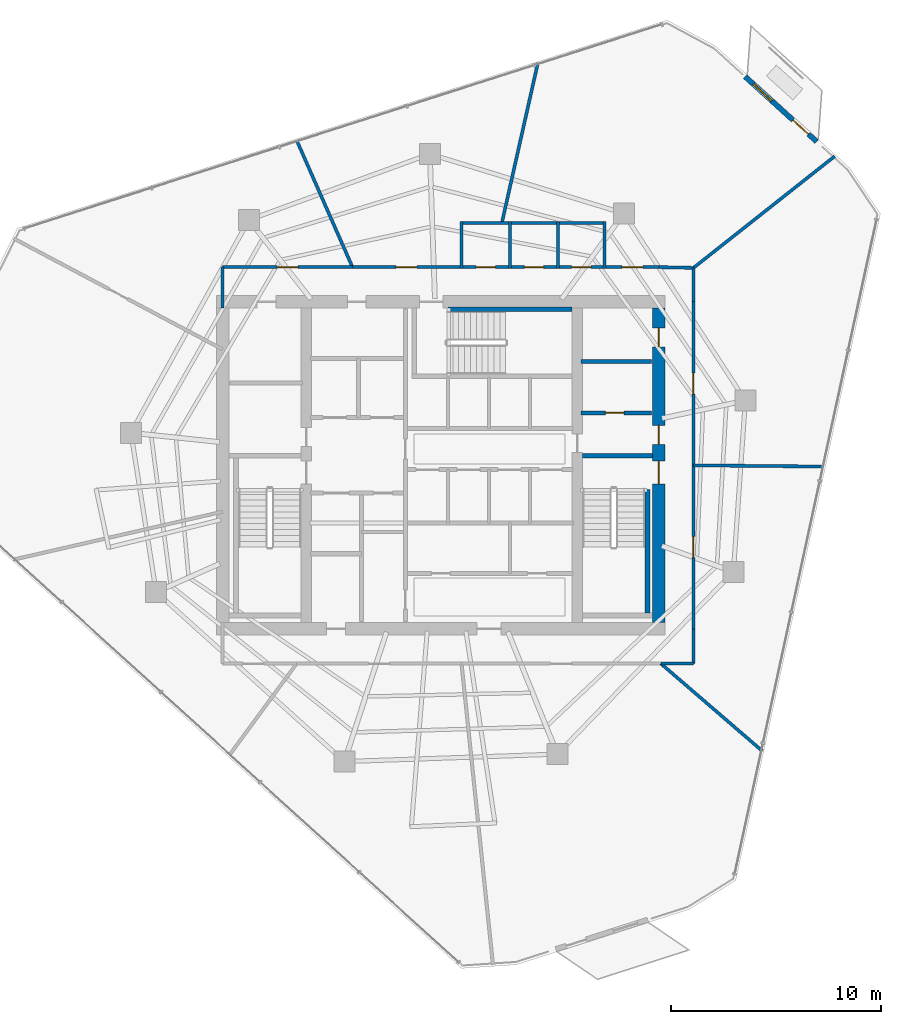
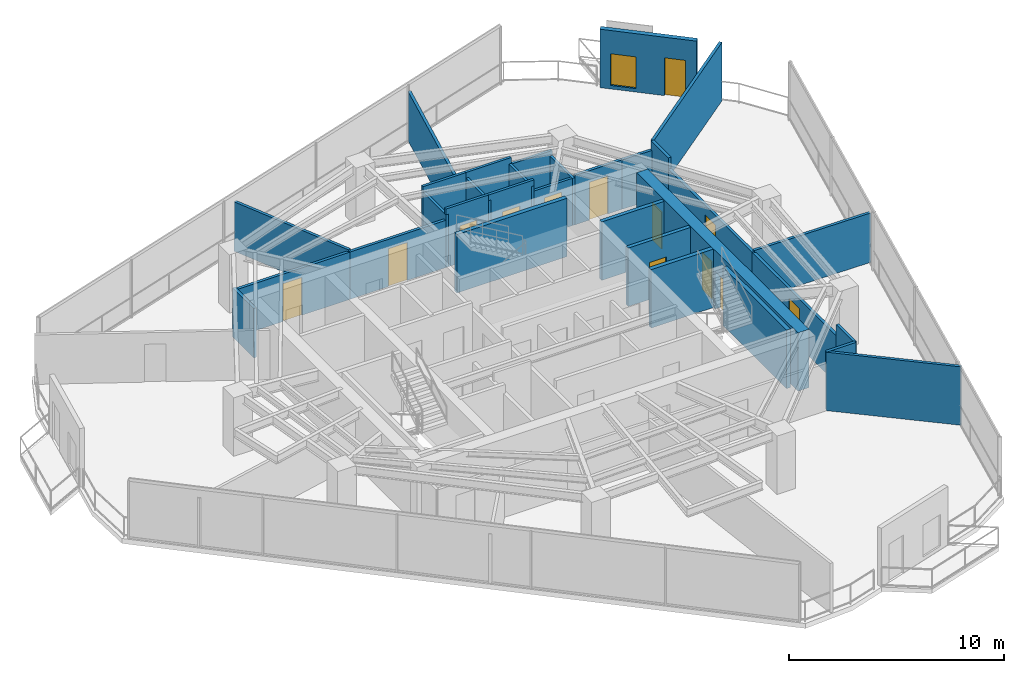
# One storey, part 18 of 21: 32 walls, 13 doors, 1 window, 14 openings.
"""IFC4 building model written with IfcOpenShell, lengths in metres."""

from ifc_helpers import new_model, si_unit, direction, frame, frame_2d, origin, place, context, subcontext, project, spatial, rectangle, extrude, material, layer, layer_set, type_object, element, fill, save


model = new_model("IFC4")

# Units and contexts
model_context = context("Model", 3, precision=1e-05, world=origin(), true_north=direction((0.0, 1.0)))
body_context = subcontext(model_context, "Body", "Model", "MODEL_VIEW")
ifc_project = project(units=[si_unit("LENGTHUNIT", "METRE"), si_unit("AREAUNIT", "SQUARE_METRE"), si_unit("VOLUMEUNIT", "CUBIC_METRE"), si_unit("PLANEANGLEUNIT", "RADIAN"), si_unit("MASSUNIT", "GRAM", prefix="KILO")], contexts=[model_context])

# Site, building, storey
site_placement = place(None, origin())
site = spatial("IfcSite", under=ifc_project, at=site_placement, CompositionType="ELEMENT")
building_placement = place(site_placement, origin())
building = spatial("IfcBuilding", under=site, at=building_placement, Name="Qarnah Convention Tower", CompositionType="ELEMENT")
storey_placement = place(building_placement, frame((0.0, 0.0, 132.89990234375)))
storey = spatial("IfcBuildingStorey", under=building, at=storey_placement, Name="L35", CompositionType="ELEMENT", Elevation=132.89990234375)

# Wall, openings, doors
ifc_material_1 = material(Name="Concrete C60/75", Category="concrete")
ifc_layer_1 = layer(ifc_material_1, 0.60009765625)
ifc_layer_set_1 = layer_set([ifc_layer_1], Name="Concrete C60/75")
wall_type_1 = type_object("IfcWallType", Name="WL-CORE-600", PredefinedType="SHEAR", material=ifc_layer_set_1)
wall_1_placement = place(storey_placement, frame((47.60009765625, 18.89990234375, 0.0), z_axis=(0.0, 0.0, 1.0), x_axis=(0.0, 1.0, 0.0)))
wall_1 = element("IfcWall", 1, at=wall_1_placement, inside=storey, type_object=wall_type_1, Name="L35 core east shear wall", PredefinedType="SHEAR", context=body_context, shape_type="SweptSolid", body=[
    extrude(rectangle(XDim=15.0, YDim=0.60009765625, at=frame_2d((7.5, 0.0))), origin(), (0.0, 0.0, 1.0), 3.320068359375),
])
opening_1_placement = place(wall_1_placement, frame((6.60009765625, 0.0, 0.0)))
opening_1 = element("IfcOpeningElement", 2, at=opening_1_placement, cuts=wall_1, Name="Opening D-3502", PredefinedType="OPENING", context=body_context, shape_type="SweptSolid", body=[
    extrude(rectangle(XDim=1.10009765625, YDim=2.14990234375, at=frame_2d((0.550048828125, 1.074951171875))), frame((0.0, 0.31005859375, 0.0), z_axis=(0.0, -1.0, 0.0), x_axis=(1.0, 0.0, 0.0)), (0.0, 0.0, 1.0), 0.6201171875),
])
opening_2_placement = place(wall_1_placement, frame((8.5, 0.0, 0.0)))
opening_2 = element("IfcOpeningElement", 3, at=opening_2_placement, cuts=wall_1, Name="Opening D-3506", PredefinedType="OPENING", context=body_context, shape_type="SweptSolid", body=[
    extrude(rectangle(XDim=0.89990234375, YDim=2.10009765625, at=frame_2d((0.449951171875, 1.050048828125))), frame((0.0, 0.31005859375, 0.0), z_axis=(0.0, -1.0, 0.0), x_axis=(1.0, 0.0, 0.0)), (0.0, 0.0, 1.0), 0.6201171875),
])
opening_3_placement = place(wall_1_placement, frame((13.14990234375, 0.0, 0.0)))
opening_3 = element("IfcOpeningElement", 4, at=opening_3_placement, cuts=wall_1, Name="Opening D-3512", PredefinedType="OPENING", context=body_context, shape_type="SweptSolid", body=[
    extrude(rectangle(XDim=0.89990234375, YDim=2.10009765625, at=frame_2d((0.449951171875, 1.050048828125))), frame((0.0, 0.31005859375, 0.0), z_axis=(0.0, -1.0, 0.0), x_axis=(1.0, 0.0, 0.0)), (0.0, 0.0, 1.0), 0.6201171875),
])
ifc_material_2 = material(Name="Structural steel S355JR", Category="steel")
door_type_1 = type_object("IfcDoorType", Name="DT-RISER-900", OperationType="NOTDEFINED", PredefinedType="DOOR", material=ifc_material_2)
door_1_placement = place(opening_2_placement, origin())
door_1 = element("IfcDoor", 5, at=door_1_placement, inside=storey, type_object=door_type_1, Name="Door D-3506", OperationType="SINGLE_SWING_RIGHT", OverallHeight=2.10009765625, OverallWidth=0.89990234375, PredefinedType="DOOR", context=body_context, shape_type="SweptSolid", body=[
    extrude(rectangle(XDim=0.89990234375, YDim=2.10009765625, at=frame_2d((0.449951171875, 1.050048828125))), frame((0.0, 0.02490234375, 0.0), z_axis=(0.0, -1.0, 0.0), x_axis=(1.0, 0.0, 0.0)), (0.0, 0.0, 1.0), 0.050048828125),
])
fill(opening_2, door_1)
door_2_placement = place(opening_3_placement, origin())
door_2 = element("IfcDoor", 6, at=door_2_placement, inside=storey, type_object=door_type_1, Name="Door D-3512", OperationType="SINGLE_SWING_RIGHT", OverallHeight=2.10009765625, OverallWidth=0.89990234375, PredefinedType="DOOR", context=body_context, shape_type="SweptSolid", body=[
    extrude(rectangle(XDim=0.89990234375, YDim=2.10009765625, at=frame_2d((0.449951171875, 1.050048828125))), frame((0.0, 0.02490234375, 0.0), z_axis=(0.0, -1.0, 0.0), x_axis=(1.0, 0.0, 0.0)), (0.0, 0.0, 1.0), 0.050048828125),
])
fill(opening_3, door_2)
door_type_2 = type_object("IfcDoorType", Name="DT-STAIR-1100", OperationType="NOTDEFINED", PredefinedType="DOOR", material=ifc_material_2)
door_3_placement = place(opening_1_placement, origin())
door_3 = element("IfcDoor", 7, at=door_3_placement, inside=storey, type_object=door_type_2, Name="Door D-3502", OperationType="SINGLE_SWING_RIGHT", OverallHeight=2.14990234375, OverallWidth=1.10009765625, PredefinedType="DOOR", context=body_context, shape_type="SweptSolid", body=[
    extrude(rectangle(XDim=1.10009765625, YDim=2.14990234375, at=frame_2d((0.550048828125, 1.074951171875))), frame((0.0, 0.02490234375, 0.0), z_axis=(0.0, -1.0, 0.0), x_axis=(1.0, 0.0, 0.0)), (0.0, 0.0, 1.0), 0.050048828125),
])
fill(opening_1, door_3)

# Wall, opening, door
ifc_material_3 = material(Name="Concrete C45/55", Category="concrete")
ifc_layer_2 = layer(ifc_material_3, 0.199951171875)
ifc_layer_set_2 = layer_set([ifc_layer_2], Name="Concrete C45/55")
wall_type_2 = type_object("IfcWallType", Name="WL-CORE-PART-200", PredefinedType="SOLIDWALL", material=ifc_layer_set_2)
wall_2_placement = place(storey_placement, frame((43.89990234375, 28.89990234375, 0.0), z_axis=(0.0, 0.0, 1.0), x_axis=(1.0, 0.0, 0.0)))
wall_2 = element("IfcWall", 8, at=wall_2_placement, inside=storey, type_object=wall_type_2, Name="L35 interior wall IW-L35-EVSTN", PredefinedType="SOLIDWALL", context=body_context, shape_type="SweptSolid", body=[
    extrude(rectangle(XDim=3.35009765625, YDim=0.199951171875, at=frame_2d((1.675048828125, 0.0))), origin(), (0.0, 0.0, 1.0), 3.320068359375),
])
opening_4_placement = place(wall_2_placement, frame((1.14990234375, 0.0, 0.0)))
opening_4 = element("IfcOpeningElement", 9, at=opening_4_placement, cuts=wall_2, Name="Opening D-3511", PredefinedType="OPENING", context=body_context, shape_type="SweptSolid", body=[
    extrude(rectangle(XDim=0.89990234375, YDim=2.10009765625, at=frame_2d((0.449951171875, 1.050048828125))), frame((0.0, 0.10986328125, 0.0), z_axis=(0.0, -1.0, 0.0), x_axis=(1.0, 0.0, 0.0)), (0.0, 0.0, 1.0), 0.219970703125),
])
door_4_placement = place(opening_4_placement, origin())
door_4 = element("IfcDoor", 10, at=door_4_placement, inside=storey, type_object=door_type_1, Name="Door D-3511", OperationType="SINGLE_SWING_LEFT", OverallHeight=2.10009765625, OverallWidth=0.89990234375, PredefinedType="DOOR", context=body_context, shape_type="SweptSolid", body=[
    extrude(rectangle(XDim=0.89990234375, YDim=2.10009765625, at=frame_2d((0.449951171875, 1.050048828125))), frame((0.0, 0.02490234375, 0.0), z_axis=(0.0, -1.0, 0.0), x_axis=(1.0, 0.0, 0.0)), (0.0, 0.0, 1.0), 0.050048828125),
])
fill(opening_4, door_4)

# Walls
wall_3_placement = place(storey_placement, frame((43.89990234375, 31.35009765625, 0.0), z_axis=(0.0, 0.0, 1.0), x_axis=(1.0, 0.0, 0.0)))
element("IfcWall", 11, at=wall_3_placement, inside=storey, type_object=wall_type_2, Name="L35 interior wall IW-L35-WTRN", PredefinedType="SOLIDWALL", context=body_context, shape_type="SweptSolid", body=[
    extrude(rectangle(XDim=3.35009765625, YDim=0.199951171875, at=frame_2d((1.675048828125, 0.0))), origin(), (0.0, 0.0, 1.0), 3.320068359375),
])
ifc_layer_3 = layer(ifc_material_1, 0.219970703125)
ifc_layer_set_3 = layer_set([ifc_layer_3], Name="Concrete C60/75")
wall_type_3 = type_object("IfcWallType", Name="WL-CORE-STAIR-220", PredefinedType="SHEAR", material=ifc_layer_set_3)
wall_4_placement = place(storey_placement, frame((43.949951171875, 26.860107421875, 0.0), z_axis=(0.0, 0.0, 1.0), x_axis=(1.0, 0.0, 0.0)))
element("IfcWall", 12, at=wall_4_placement, inside=storey, type_object=wall_type_3, Name="L35 stair shaft shear wall SW-L35-ST2N", PredefinedType="SHEAR", context=body_context, shape_type="SweptSolid", body=[
    extrude(rectangle(XDim=3.35009765625, YDim=0.219970703125, at=frame_2d((1.675048828125, 0.0))), origin(), (0.0, 0.0, 1.0), 3.320068359375),
])
for number, where, z_axis, x_axis, name in (
    (13, (47.06005859375, 19.35009765625, 0.0), (0.0, 0.0, 1.0), (0.0, 1.0, 0.0), "L35 stair shaft shear wall SW-L35-ST2E"),
    (14, (37.550048828125, 33.840087890625, 0.0), (0.0, 0.0, 1.0), (1.0, 0.0, 0.0), "L35 stair shaft shear wall SW-L35-ST3N"),
):
    element("IfcWall", number, at=place(storey_placement, frame(where, z_axis=z_axis, x_axis=x_axis)), inside=storey, type_object=wall_type_3, Name=name, PredefinedType="SHEAR", context=body_context, shape_type="SweptSolid", body=[
        extrude(rectangle(XDim=5.89990234375, YDim=0.219970703125, at=frame_2d((2.949951171875, 0.0))), origin(), (0.0, 0.0, 1.0), 3.320068359375),
    ])

# Wall, openings, door, window
ifc_material_4 = material(Name="Precast concrete C45/55", Category="concrete")
ifc_layer_4 = layer(ifc_material_4, 0.239990234375)
ifc_layer_set_4 = layer_set([ifc_layer_4], Name="Precast concrete C45/55")
wall_type_4 = type_object("IfcWallType", Name="WL-EXT-BAL-240", PredefinedType="SOLIDWALL", material=ifc_layer_set_4)
wall_5_placement = place(storey_placement, frame((51.714111328125, 44.927978515625, 0.0), z_axis=(0.0, 0.0, 1.0), x_axis=(0.740408176897, -0.67215751992, 0.0)))
wall_5 = element("IfcWall", 15, at=wall_5_placement, inside=storey, type_object=wall_type_4, Name="L35 loggia threshold wall BAL-L35-C1", PredefinedType="SOLIDWALL", context=body_context, shape_type="SweptSolid", body=[
    extrude(rectangle(XDim=4.60009765625, YDim=0.239990234375, at=frame_2d((2.300048828125, 0.0))), origin(), (0.0, 0.0, 1.0), 3.320068359375),
])
opening_5_placement = place(wall_5_placement, frame((3.080078125, 0.0, 0.0)))
opening_5 = element("IfcOpeningElement", 16, at=opening_5_placement, cuts=wall_5, Name="Opening BD-3501", PredefinedType="OPENING", context=body_context, shape_type="SweptSolid", body=[
    extrude(rectangle(XDim=1.0, YDim=2.14990234375, at=frame_2d((0.5, 1.074951171875))), frame((0.0, 0.1298828125, 0.0), z_axis=(0.0, -1.0, 0.0), x_axis=(1.0, 0.0, 0.0)), (0.0, 0.0, 1.0), 0.260009765625),
])
opening_6_placement = place(wall_5_placement, frame((0.52001953125, 0.0, 0.199951171875)))
opening_6 = element("IfcOpeningElement", 17, at=opening_6_placement, cuts=wall_5, Name="Opening WN5", PredefinedType="OPENING", context=body_context, shape_type="SweptSolid", body=[
    extrude(rectangle(XDim=1.199951171875, YDim=1.800048828125, at=frame_2d((0.60009765625, 0.89990234375))), frame((0.0, 0.1298828125, 0.0), z_axis=(0.0, -1.0, 0.0), x_axis=(1.0, 0.0, 0.0)), (0.0, 0.0, 1.0), 0.260009765625),
])
ifc_material_5 = material(Name="Black anodised aluminium", Category="aluminium")
door_type_3 = type_object("IfcDoorType", Name="DT-BAL-1000", OperationType="NOTDEFINED", PredefinedType="DOOR", material=ifc_material_5)
door_5_placement = place(opening_5_placement, origin())
door_5 = element("IfcDoor", 18, at=door_5_placement, inside=storey, type_object=door_type_3, Name="L35 balcony terrace door BAL-L35-C1", OperationType="SINGLE_SWING_RIGHT", OverallHeight=2.14990234375, OverallWidth=1.0, PredefinedType="DOOR", context=body_context, shape_type="SweptSolid", body=[
    extrude(rectangle(XDim=1.0, YDim=2.14990234375, at=frame_2d((0.5, 1.074951171875))), frame((0.0, 0.02490234375, 0.0), z_axis=(0.0, -1.0, 0.0), x_axis=(1.0, 0.0, 0.0)), (0.0, 0.0, 1.0), 0.050048828125),
])
fill(opening_5, door_5)
ifc_material_6 = material(Name="Tempered Low-E dark glass", Category="glass")
window_type = type_object("IfcWindowType", Name="WT-BAL-1200X1800", PartitioningType="SINGLE_PANEL", PredefinedType="WINDOW", material=ifc_material_6)
window_placement = place(opening_6_placement, origin())
window = element("IfcWindow", 19, at=window_placement, inside=storey, type_object=window_type, Name="Window BW-BAL-L35-C1", OverallHeight=1.800048828125, OverallWidth=1.199951171875, PartitioningType="SINGLE_PANEL", PredefinedType="WINDOW", context=body_context, shape_type="SweptSolid", body=[
    extrude(rectangle(XDim=1.199951171875, YDim=1.800048828125, at=frame_2d((0.60009765625, 0.89990234375))), frame((0.0, 0.030029296875, 0.0), z_axis=(0.0, -1.0, 0.0), x_axis=(1.0, 0.0, 0.0)), (0.0, 0.0, 1.0), 0.06005859375),
])
fill(opening_6, window)

# Walls
ifc_material_7 = material(Name="Gypsum partition board")
ifc_layer_5 = layer(ifc_material_7, 0.14990234375)
ifc_layer_set_5 = layer_set([ifc_layer_5], Name="Gypsum partition board")
wall_type_5 = type_object("IfcWallType", Name="WL-SUITE-150", PredefinedType="PARTITIONING", material=ifc_layer_set_5)
wall_6_placement = place(storey_placement, frame((55.98291015625, 41.135009765625, 0.0), z_axis=(0.0, 0.0, 1.0), x_axis=(-0.784565888952, -0.620045454699, 0.0)))
element("IfcWall", 20, at=wall_6_placement, inside=storey, type_object=wall_type_5, Name="L35 interior wall IW-L35-R-11", PredefinedType="PARTITIONING", context=body_context, shape_type="SweptSolid", body=[
    extrude(rectangle(XDim=8.581787109375, YDim=0.14990234375, at=frame_2d((4.291015625, 0.0))), origin(), (0.0, 0.0, 1.0), 3.320068359375),
])
wall_7_placement = place(storey_placement, frame((49.25, 35.81396484375, 0.0), z_axis=(0.0, 0.0, 1.0), x_axis=(0.0, -1.0, 0.0)))
element("IfcWall", 21, at=wall_7_placement, inside=storey, type_object=wall_type_5, Name="L35 interior wall IW-L35-R-12", PredefinedType="PARTITIONING", context=body_context, shape_type="SweptSolid", body=[
    extrude(rectangle(XDim=1.614013671875, YDim=0.14990234375, at=frame_2d((0.80712890625, 0.0))), origin(), (0.0, 0.0, 1.0), 3.320068359375),
])

# Wall, opening, door
wall_8_placement = place(storey_placement, frame((49.25, 34.199951171875, 0.0), z_axis=(0.0, 0.0, 1.0), x_axis=(0.0, -1.0, 0.0)))
wall_8 = element("IfcWall", 22, at=wall_8_placement, inside=storey, type_object=wall_type_5, Name="L35 interior wall IW-L35-R-13", PredefinedType="PARTITIONING", context=body_context, shape_type="SweptSolid", body=[
    extrude(rectangle(XDim=7.800048828125, YDim=0.14990234375, at=frame_2d((3.89990234375, 0.0))), origin(), (0.0, 0.0, 1.0), 2.68701171875),
])
opening_7_placement = place(wall_8_placement, frame((3.39990234375, 0.0, 0.0)))
opening_7 = element("IfcOpeningElement", 23, at=opening_7_placement, cuts=wall_8, Name="Opening D-3521", PredefinedType="OPENING", context=body_context, shape_type="SweptSolid", body=[
    extrude(rectangle(XDim=1.0, YDim=2.14990234375, at=frame_2d((0.5, 1.074951171875))), frame((0.0, 0.0849609375, 0.0), z_axis=(0.0, -1.0, 0.0), x_axis=(1.0, 0.0, 0.0)), (0.0, 0.0, 1.0), 0.169921875),
])
ifc_material_8 = material(Name="Oak timber veneer", Category="wood")
door_type_4 = type_object("IfcDoorType", Name="DT-OFFICE-1000", OperationType="NOTDEFINED", PredefinedType="DOOR", material=ifc_material_8)
door_6_placement = place(opening_7_placement, origin())
door_6 = element("IfcDoor", 24, at=door_6_placement, inside=storey, type_object=door_type_4, Name="Door D-3521", OperationType="SINGLE_SWING_LEFT", OverallHeight=2.14990234375, OverallWidth=1.0, PredefinedType="DOOR", context=body_context, shape_type="SweptSolid", body=[
    extrude(rectangle(XDim=1.0, YDim=2.14990234375, at=frame_2d((0.5, 1.074951171875))), frame((0.0, 0.02490234375, 0.0), z_axis=(0.0, -1.0, 0.0), x_axis=(1.0, 0.0, 0.0)), (0.0, 0.0, 1.0), 0.050048828125),
])
fill(opening_7, door_6)

# Walls
wall_9_placement = place(storey_placement, frame((49.25, 26.39990234375, 0.0), z_axis=(0.0, 0.0, 1.0), x_axis=(0.999955289895, -0.009456120262, 0.0)))
element("IfcWall", 25, at=wall_9_placement, inside=storey, type_object=wall_type_5, Name="L35 interior wall IW-L35-R-14", PredefinedType="PARTITIONING", context=body_context, shape_type="SweptSolid", body=[
    extrude(rectangle(XDim=6.22216796875, YDim=0.14990234375, at=frame_2d((3.111083984375, 0.0))), origin(), (0.0, 0.0, 1.0), 2.80517578125),
])
wall_10_placement = place(storey_placement, frame((41.83203125, 45.583984375, 0.0), z_axis=(0.0, 0.0, 1.0), x_axis=(-0.219437207936, -0.975626625187, 0.0)))
element("IfcWall", 26, at=wall_10_placement, inside=storey, type_object=wall_type_5, Name="L35 interior wall IW-L35-R-15", PredefinedType="PARTITIONING", context=body_context, shape_type="SweptSolid", body=[
    extrude(rectangle(XDim=7.82470703125, YDim=0.14990234375, at=frame_2d((3.912353515625, 0.0))), origin(), (0.0, 0.0, 1.0), 2.80517578125),
])

# Wall, opening, door
wall_11_placement = place(storey_placement, frame((45.070068359375, 35.85009765625, 0.0), z_axis=(0.0, 0.0, 1.0), x_axis=(1.0, 0.0, 0.0)))
wall_11 = element("IfcWall", 27, at=wall_11_placement, inside=storey, type_object=wall_type_5, Name="L35 interior wall IW-L35-R-16", PredefinedType="PARTITIONING", context=body_context, shape_type="SweptSolid", body=[
    extrude(rectangle(XDim=2.530029296875, YDim=0.14990234375, at=frame_2d((1.26513671875, 0.0))), origin(), (0.0, 0.0, 1.0), 2.80517578125),
])
opening_8_placement = place(wall_11_placement, frame((0.764892578125, 0.0, 0.0)))
opening_8 = element("IfcOpeningElement", 28, at=opening_8_placement, cuts=wall_11, Name="Opening D-3522", PredefinedType="OPENING", context=body_context, shape_type="SweptSolid", body=[
    extrude(rectangle(XDim=1.0, YDim=2.14990234375, at=frame_2d((0.5, 1.074951171875))), frame((0.0, 0.0849609375, 0.0), z_axis=(0.0, -1.0, 0.0), x_axis=(1.0, 0.0, 0.0)), (0.0, 0.0, 1.0), 0.169921875),
])
door_7_placement = place(opening_8_placement, origin())
door_7 = element("IfcDoor", 29, at=door_7_placement, inside=storey, type_object=door_type_4, Name="Door D-3522", OperationType="SINGLE_SWING_RIGHT", OverallHeight=2.14990234375, OverallWidth=1.0, PredefinedType="DOOR", context=body_context, shape_type="SweptSolid", body=[
    extrude(rectangle(XDim=1.0, YDim=2.14990234375, at=frame_2d((0.5, 1.074951171875))), frame((0.0, 0.02490234375, 0.0), z_axis=(0.0, -1.0, 0.0), x_axis=(1.0, 0.0, 0.0)), (0.0, 0.0, 1.0), 0.050048828125),
])
fill(opening_8, door_7)

# Walls
wall_12_placement = place(storey_placement, frame((47.60009765625, 35.85009765625, 0.0), z_axis=(0.0, 0.0, 1.0), x_axis=(0.999760281873, -0.021894720586, 0.0)))
element("IfcWall", 30, at=wall_12_placement, inside=storey, type_object=wall_type_5, Name="L35 interior wall IW-L35-R-17", PredefinedType="PARTITIONING", context=body_context, shape_type="SweptSolid", body=[
    extrude(rectangle(XDim=1.650390625, YDim=0.14990234375, at=frame_2d((0.8251953125, 0.0))), origin(), (0.0, 0.0, 1.0), 2.80517578125),
])
wall_13_placement = place(storey_placement, frame((30.3359375, 41.889892578125, 0.0), z_axis=(0.0, 0.0, 1.0), x_axis=(0.402671655975, -0.915344491148, 0.0)))
element("IfcWall", 31, at=wall_13_placement, inside=storey, type_object=wall_type_5, Name="L35 interior wall IW-L35-R-18", PredefinedType="PARTITIONING", context=body_context, shape_type="SweptSolid", body=[
    extrude(rectangle(XDim=6.598388671875, YDim=0.14990234375, at=frame_2d((3.29931640625, 0.0))), origin(), (0.0, 0.0, 1.0), 2.80517578125),
])

# Wall, opening, door
wall_14_placement = place(storey_placement, frame((32.992919921875, 35.85009765625, 0.0), z_axis=(0.0, 0.0, 1.0), x_axis=(1.0, 0.0, 0.0)))
wall_14 = element("IfcWall", 32, at=wall_14_placement, inside=storey, type_object=wall_type_5, Name="L35 interior wall IW-L35-R-19", PredefinedType="PARTITIONING", context=body_context, shape_type="SweptSolid", body=[
    extrude(rectangle(XDim=5.136962890625, YDim=0.14990234375, at=frame_2d((2.568359375, 0.0))), origin(), (0.0, 0.0, 1.0), 2.68701171875),
])
opening_9_placement = place(wall_14_placement, frame((2.068115234375, 0.0, 0.0)))
opening_9 = element("IfcOpeningElement", 33, at=opening_9_placement, cuts=wall_14, Name="Opening D-3523", PredefinedType="OPENING", context=body_context, shape_type="SweptSolid", body=[
    extrude(rectangle(XDim=1.0, YDim=2.14990234375, at=frame_2d((0.5, 1.074951171875))), frame((0.0, 0.0849609375, 0.0), z_axis=(0.0, -1.0, 0.0), x_axis=(1.0, 0.0, 0.0)), (0.0, 0.0, 1.0), 0.169921875),
])
door_8_placement = place(opening_9_placement, origin())
door_8 = element("IfcDoor", 34, at=door_8_placement, inside=storey, type_object=door_type_4, Name="Door D-3523", OperationType="SINGLE_SWING_LEFT", OverallHeight=2.14990234375, OverallWidth=1.0, PredefinedType="DOOR", context=body_context, shape_type="SweptSolid", body=[
    extrude(rectangle(XDim=1.0, YDim=2.14990234375, at=frame_2d((0.5, 1.074951171875))), frame((0.0, 0.02490234375, 0.0), z_axis=(0.0, -1.0, 0.0), x_axis=(1.0, 0.0, 0.0)), (0.0, 0.0, 1.0), 0.050048828125),
])
fill(opening_9, door_8)

# Wall
wall_15_placement = place(storey_placement, frame((26.800048828125, 33.89990234375, 0.0), z_axis=(0.0, 0.0, 1.0), x_axis=(0.0, 1.0, 0.0)))
element("IfcWall", 35, at=wall_15_placement, inside=storey, type_object=wall_type_5, Name="L35 interior wall IW-L35-R-21", PredefinedType="PARTITIONING", context=body_context, shape_type="SweptSolid", body=[
    extrude(rectangle(XDim=1.9501953125, YDim=0.14990234375, at=frame_2d((0.97509765625, 0.0))), origin(), (0.0, 0.0, 1.0), 2.80517578125),
])

# Wall, opening, door
wall_16_placement = place(storey_placement, frame((26.800048828125, 35.85009765625, 0.0), z_axis=(0.0, 0.0, 1.0), x_axis=(1.0, 0.0, 0.0)))
wall_16 = element("IfcWall", 36, at=wall_16_placement, inside=storey, type_object=wall_type_5, Name="L35 interior wall IW-L35-R-22", PredefinedType="PARTITIONING", context=body_context, shape_type="SweptSolid", body=[
    extrude(rectangle(XDim=6.19287109375, YDim=0.14990234375, at=frame_2d((3.096435546875, 0.0))), origin(), (0.0, 0.0, 1.0), 2.68701171875),
])
opening_10_placement = place(wall_16_placement, frame((2.596923828125, 0.0, 0.0)))
opening_10 = element("IfcOpeningElement", 37, at=opening_10_placement, cuts=wall_16, Name="Opening D-3524", PredefinedType="OPENING", context=body_context, shape_type="SweptSolid", body=[
    extrude(rectangle(XDim=1.0, YDim=2.14990234375, at=frame_2d((0.5, 1.074951171875))), frame((0.0, 0.0849609375, 0.0), z_axis=(0.0, -1.0, 0.0), x_axis=(1.0, 0.0, 0.0)), (0.0, 0.0, 1.0), 0.169921875),
])
door_9_placement = place(opening_10_placement, origin())
door_9 = element("IfcDoor", 38, at=door_9_placement, inside=storey, type_object=door_type_4, Name="Door D-3524", OperationType="SINGLE_SWING_RIGHT", OverallHeight=2.14990234375, OverallWidth=1.0, PredefinedType="DOOR", context=body_context, shape_type="SweptSolid", body=[
    extrude(rectangle(XDim=1.0, YDim=2.14990234375, at=frame_2d((0.5, 1.074951171875))), frame((0.0, 0.02490234375, 0.0), z_axis=(0.0, -1.0, 0.0), x_axis=(1.0, 0.0, 0.0)), (0.0, 0.0, 1.0), 0.050048828125),
])
fill(opening_10, door_9)

# Wall
wall_17_placement = place(storey_placement, frame((52.5380859375, 12.77587890625, 0.0), z_axis=(0.0, 0.0, 1.0), x_axis=(-0.757482889341, 0.652855016336, 0.0)))
element("IfcWall", 39, at=wall_17_placement, inside=storey, type_object=wall_type_5, Name="L35 interior wall IW-L35-R-29", PredefinedType="PARTITIONING", context=body_context, shape_type="SweptSolid", body=[
    extrude(rectangle(XDim=6.3935546875, YDim=0.14990234375, at=frame_2d((3.19677734375, 0.0))), origin(), (0.0, 0.0, 1.0), 3.320068359375),
])

# Wall, opening, door
wall_18_placement = place(storey_placement, frame((49.25, 26.39990234375, 0.0), z_axis=(0.0, 0.0, 1.0), x_axis=(0.0, -1.0, 0.0)))
wall_18 = element("IfcWall", 40, at=wall_18_placement, inside=storey, type_object=wall_type_5, Name="L35 interior wall IW-L35-R-31", PredefinedType="PARTITIONING", context=body_context, shape_type="SweptSolid", body=[
    extrude(rectangle(XDim=7.7998046875, YDim=0.14990234375, at=frame_2d((3.89990234375, 0.0))), origin(), (0.0, 0.0, 1.0), 2.68701171875),
])
opening_11_placement = place(wall_18_placement, frame((3.39990234375, 0.0, 0.0)))
opening_11 = element("IfcOpeningElement", 41, at=opening_11_placement, cuts=wall_18, Name="Opening D-3529", PredefinedType="OPENING", context=body_context, shape_type="SweptSolid", body=[
    extrude(rectangle(XDim=1.0, YDim=2.14990234375, at=frame_2d((0.5, 1.074951171875))), frame((0.0, 0.0849609375, 0.0), z_axis=(0.0, -1.0, 0.0), x_axis=(1.0, 0.0, 0.0)), (0.0, 0.0, 1.0), 0.169921875),
])
door_10_placement = place(opening_11_placement, origin())
door_10 = element("IfcDoor", 42, at=door_10_placement, inside=storey, type_object=door_type_4, Name="Door D-3529", OperationType="SINGLE_SWING_LEFT", OverallHeight=2.14990234375, OverallWidth=1.0, PredefinedType="DOOR", context=body_context, shape_type="SweptSolid", body=[
    extrude(rectangle(XDim=1.0, YDim=2.14990234375, at=frame_2d((0.5, 1.074951171875))), frame((0.0, 0.02490234375, 0.0), z_axis=(0.0, -1.0, 0.0), x_axis=(1.0, 0.0, 0.0)), (0.0, 0.0, 1.0), 0.050048828125),
])
fill(opening_11, door_10)

# Walls
wall_19_placement = place(storey_placement, frame((49.25, 18.60009765625, 0.0), z_axis=(0.0, 0.0, 1.0), x_axis=(0.0, -1.0, 0.0)))
element("IfcWall", 43, at=wall_19_placement, inside=storey, type_object=wall_type_5, Name="L35 interior wall IW-L35-R-32", PredefinedType="PARTITIONING", context=body_context, shape_type="SweptSolid", body=[
    extrude(rectangle(XDim=1.650146484375, YDim=0.14990234375, at=frame_2d((0.8251953125, 0.0))), origin(), (0.0, 0.0, 1.0), 3.320068359375),
])
wall_20_placement = place(storey_placement, frame((49.25, 16.949951171875, 0.0), z_axis=(0.0, 0.0, 1.0), x_axis=(-1.0, 0.0, 0.0)))
element("IfcWall", 44, at=wall_20_placement, inside=storey, type_object=wall_type_5, Name="L35 interior wall IW-L35-R-33", PredefinedType="PARTITIONING", context=body_context, shape_type="SweptSolid", body=[
    extrude(rectangle(XDim=1.554931640625, YDim=0.14990234375, at=frame_2d((0.77734375, 0.0))), origin(), (0.0, 0.0, 1.0), 3.320068359375),
])

# Wall, opening, door
ifc_layer_6 = layer(ifc_material_7, 0.139892578125)
ifc_layer_set_6 = layer_set([ifc_layer_6], Name="Gypsum partition board")
wall_type_6 = type_object("IfcWallType", Name="WL-WET-140", PredefinedType="PARTITIONING", material=ifc_layer_set_6)
wall_21_placement = place(storey_placement, frame((38.1298828125, 35.85009765625, 0.0), z_axis=(0.0, 0.0, 1.0), x_axis=(1.0, 0.0, 0.0)))
wall_21 = element("IfcWall", 45, at=wall_21_placement, inside=storey, type_object=wall_type_6, Name="L35 interior wall IW-L35-WCM-1", PredefinedType="PARTITIONING", context=body_context, shape_type="SweptSolid", body=[
    extrude(rectangle(XDim=2.440185546875, YDim=0.139892578125, at=frame_2d((1.22021484375, 0.0))), origin(), (0.0, 0.0, 1.0), 3.320068359375),
])
opening_12_placement = place(wall_21_placement, frame((0.760009765625, 0.0, 0.0)))
opening_12 = element("IfcOpeningElement", 46, at=opening_12_placement, cuts=wall_21, Name="Opening D-3518", PredefinedType="OPENING", context=body_context, shape_type="SweptSolid", body=[
    extrude(rectangle(XDim=0.919921875, YDim=2.10009765625, at=frame_2d((0.4599609375, 1.050048828125))), frame((0.0, 0.079833984375, 0.0), z_axis=(0.0, -1.0, 0.0), x_axis=(1.0, 0.0, 0.0)), (0.0, 0.0, 1.0), 0.159912109375),
])
door_type_5 = type_object("IfcDoorType", Name="DT-WC-920", OperationType="NOTDEFINED", PredefinedType="DOOR", material=ifc_material_8)
door_11_placement = place(opening_12_placement, origin())
door_11 = element("IfcDoor", 47, at=door_11_placement, inside=storey, type_object=door_type_5, Name="Door D-3518", OperationType="SINGLE_SWING_RIGHT", OverallHeight=2.10009765625, OverallWidth=0.919921875, PredefinedType="DOOR", context=body_context, shape_type="SweptSolid", body=[
    extrude(rectangle(XDim=0.919921875, YDim=2.10009765625, at=frame_2d((0.4599609375, 1.050048828125))), frame((0.0, 0.02490234375, 0.0), z_axis=(0.0, -1.0, 0.0), x_axis=(1.0, 0.0, 0.0)), (0.0, 0.0, 1.0), 0.050048828125),
])
fill(opening_12, door_11)

# Walls
wall_22_placement = place(storey_placement, frame((40.5, 35.780029296875, 0.0), z_axis=(0.0, 0.0, 1.0), x_axis=(0.0, 1.0, 0.0)))
element("IfcWall", 48, at=wall_22_placement, inside=storey, type_object=wall_type_6, Name="L35 interior wall IW-L35-WCM-2", PredefinedType="PARTITIONING", context=body_context, shape_type="SweptSolid", body=[
    extrude(rectangle(XDim=2.239990234375, YDim=0.139892578125, at=frame_2d((1.1201171875, 0.0))), origin(), (0.0, 0.0, 1.0), 2.9931640625),
])
wall_23_placement = place(storey_placement, frame((40.570068359375, 37.949951171875, 0.0), z_axis=(0.0, 0.0, 1.0), x_axis=(-1.0, 0.0, 0.0)))
element("IfcWall", 49, at=wall_23_placement, inside=storey, type_object=wall_type_6, Name="L35 interior wall IW-L35-WCM-3", PredefinedType="PARTITIONING", context=body_context, shape_type="SweptSolid", body=[
    extrude(rectangle(XDim=2.440185546875, YDim=0.139892578125, at=frame_2d((1.22021484375, 0.0))), origin(), (0.0, 0.0, 1.0), 3.320068359375),
])
wall_24_placement = place(storey_placement, frame((38.199951171875, 38.02001953125, 0.0), z_axis=(0.0, 0.0, 1.0), x_axis=(0.0, -1.0, 0.0)))
element("IfcWall", 50, at=wall_24_placement, inside=storey, type_object=wall_type_6, Name="L35 interior wall IW-L35-WCM-4", PredefinedType="PARTITIONING", context=body_context, shape_type="SweptSolid", body=[
    extrude(rectangle(XDim=2.239990234375, YDim=0.139892578125, at=frame_2d((1.1201171875, 0.0))), origin(), (0.0, 0.0, 1.0), 2.9931640625),
])

# Wall, opening, door
wall_25_placement = place(storey_placement, frame((40.429931640625, 35.85009765625, 0.0), z_axis=(0.0, 0.0, 1.0), x_axis=(1.0, 0.0, 0.0)))
wall_25 = element("IfcWall", 51, at=wall_25_placement, inside=storey, type_object=wall_type_6, Name="L35 interior wall IW-L35-WCF-1", PredefinedType="PARTITIONING", context=body_context, shape_type="SweptSolid", body=[
    extrude(rectangle(XDim=2.440185546875, YDim=0.139892578125, at=frame_2d((1.22021484375, 0.0))), origin(), (0.0, 0.0, 1.0), 3.320068359375),
])
opening_13_placement = place(wall_25_placement, frame((0.760009765625, 0.0, 0.0)))
opening_13 = element("IfcOpeningElement", 52, at=opening_13_placement, cuts=wall_25, Name="Opening D-3519", PredefinedType="OPENING", context=body_context, shape_type="SweptSolid", body=[
    extrude(rectangle(XDim=0.919921875, YDim=2.10009765625, at=frame_2d((0.4599609375, 1.050048828125))), frame((0.0, 0.079833984375, 0.0), z_axis=(0.0, -1.0, 0.0), x_axis=(1.0, 0.0, 0.0)), (0.0, 0.0, 1.0), 0.159912109375),
])
door_12_placement = place(opening_13_placement, origin())
door_12 = element("IfcDoor", 53, at=door_12_placement, inside=storey, type_object=door_type_5, Name="Door D-3519", OperationType="SINGLE_SWING_LEFT", OverallHeight=2.10009765625, OverallWidth=0.919921875, PredefinedType="DOOR", context=body_context, shape_type="SweptSolid", body=[
    extrude(rectangle(XDim=0.919921875, YDim=2.10009765625, at=frame_2d((0.4599609375, 1.050048828125))), frame((0.0, 0.02490234375, 0.0), z_axis=(0.0, -1.0, 0.0), x_axis=(1.0, 0.0, 0.0)), (0.0, 0.0, 1.0), 0.050048828125),
])
fill(opening_13, door_12)

# Walls
wall_26_placement = place(storey_placement, frame((42.800048828125, 35.780029296875, 0.0), z_axis=(0.0, 0.0, 1.0), x_axis=(0.0, 1.0, 0.0)))
element("IfcWall", 54, at=wall_26_placement, inside=storey, type_object=wall_type_6, Name="L35 interior wall IW-L35-WCF-2", PredefinedType="PARTITIONING", context=body_context, shape_type="SweptSolid", body=[
    extrude(rectangle(XDim=2.239990234375, YDim=0.139892578125, at=frame_2d((1.1201171875, 0.0))), origin(), (0.0, 0.0, 1.0), 2.9931640625),
])
wall_27_placement = place(storey_placement, frame((42.8701171875, 37.949951171875, 0.0), z_axis=(0.0, 0.0, 1.0), x_axis=(-1.0, 0.0, 0.0)))
element("IfcWall", 55, at=wall_27_placement, inside=storey, type_object=wall_type_6, Name="L35 interior wall IW-L35-WCF-3", PredefinedType="PARTITIONING", context=body_context, shape_type="SweptSolid", body=[
    extrude(rectangle(XDim=2.440185546875, YDim=0.139892578125, at=frame_2d((1.22021484375, 0.0))), origin(), (0.0, 0.0, 1.0), 3.320068359375),
])

# Wall, opening, door
wall_28_placement = place(storey_placement, frame((42.72998046875, 35.85009765625, 0.0), z_axis=(0.0, 0.0, 1.0), x_axis=(1.0, 0.0, 0.0)))
wall_28 = element("IfcWall", 56, at=wall_28_placement, inside=storey, type_object=wall_type_6, Name="L35 interior wall IW-L35-WCA-1", PredefinedType="PARTITIONING", context=body_context, shape_type="SweptSolid", body=[
    extrude(rectangle(XDim=2.340087890625, YDim=0.139892578125, at=frame_2d((1.169921875, 0.0))), origin(), (0.0, 0.0, 1.0), 2.68701171875),
])
opening_14_placement = place(wall_28_placement, frame((0.7099609375, 0.0, 0.0)))
opening_14 = element("IfcOpeningElement", 57, at=opening_14_placement, cuts=wall_28, Name="Opening D-3520", PredefinedType="OPENING", context=body_context, shape_type="SweptSolid", body=[
    extrude(rectangle(XDim=0.919921875, YDim=2.10009765625, at=frame_2d((0.4599609375, 1.050048828125))), frame((0.0, 0.079833984375, 0.0), z_axis=(0.0, -1.0, 0.0), x_axis=(1.0, 0.0, 0.0)), (0.0, 0.0, 1.0), 0.159912109375),
])
door_13_placement = place(opening_14_placement, origin())
door_13 = element("IfcDoor", 58, at=door_13_placement, inside=storey, type_object=door_type_5, Name="Door D-3520", OperationType="SINGLE_SWING_RIGHT", OverallHeight=2.10009765625, OverallWidth=0.919921875, PredefinedType="DOOR", context=body_context, shape_type="SweptSolid", body=[
    extrude(rectangle(XDim=0.919921875, YDim=2.10009765625, at=frame_2d((0.4599609375, 1.050048828125))), frame((0.0, 0.02490234375, 0.0), z_axis=(0.0, -1.0, 0.0), x_axis=(1.0, 0.0, 0.0)), (0.0, 0.0, 1.0), 0.050048828125),
])
fill(opening_14, door_13)

# Walls
wall_29_placement = place(storey_placement, frame((45.0, 35.780029296875, 0.0), z_axis=(0.0, 0.0, 1.0), x_axis=(0.0, 1.0, 0.0)))
element("IfcWall", 59, at=wall_29_placement, inside=storey, type_object=wall_type_6, Name="L35 interior wall IW-L35-WCA-2", PredefinedType="PARTITIONING", context=body_context, shape_type="SweptSolid", body=[
    extrude(rectangle(XDim=2.239990234375, YDim=0.139892578125, at=frame_2d((1.1201171875, 0.0))), origin(), (0.0, 0.0, 1.0), 2.68701171875),
])
wall_30_placement = place(storey_placement, frame((45.070068359375, 37.949951171875, 0.0), z_axis=(0.0, 0.0, 1.0), x_axis=(-1.0, 0.0, 0.0)))
element("IfcWall", 60, at=wall_30_placement, inside=storey, type_object=wall_type_6, Name="L35 interior wall IW-L35-WCA-3", PredefinedType="PARTITIONING", context=body_context, shape_type="SweptSolid", body=[
    extrude(rectangle(XDim=2.340087890625, YDim=0.139892578125, at=frame_2d((1.169921875, 0.0))), origin(), (0.0, 0.0, 1.0), 2.94921875),
])

save(model, "model.ifc")
